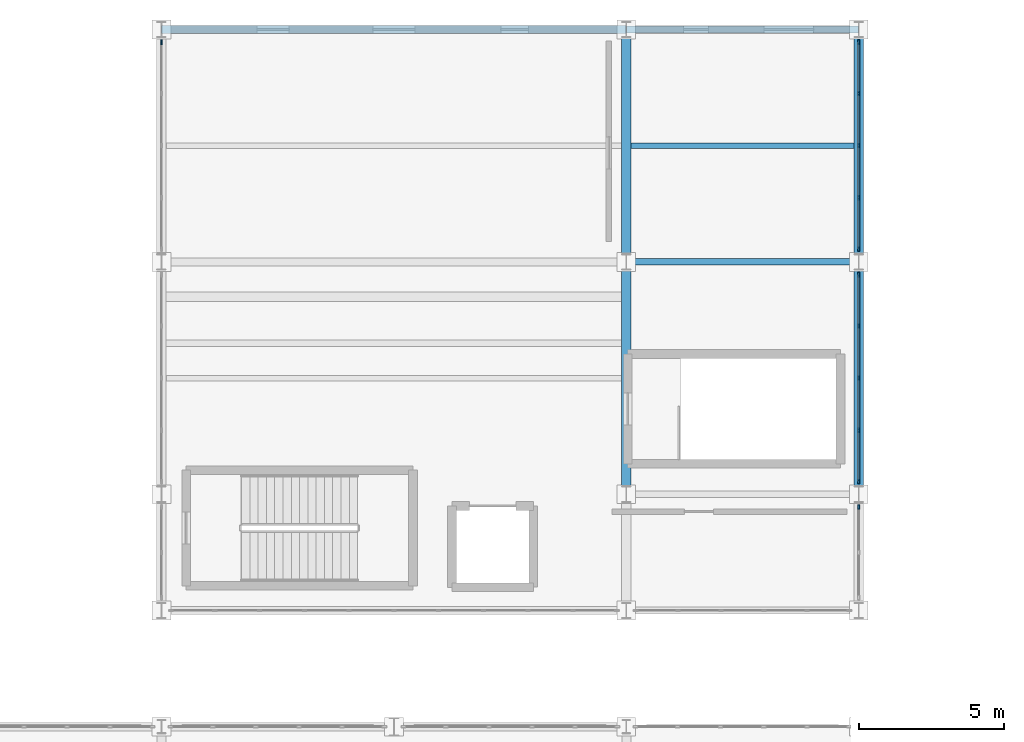
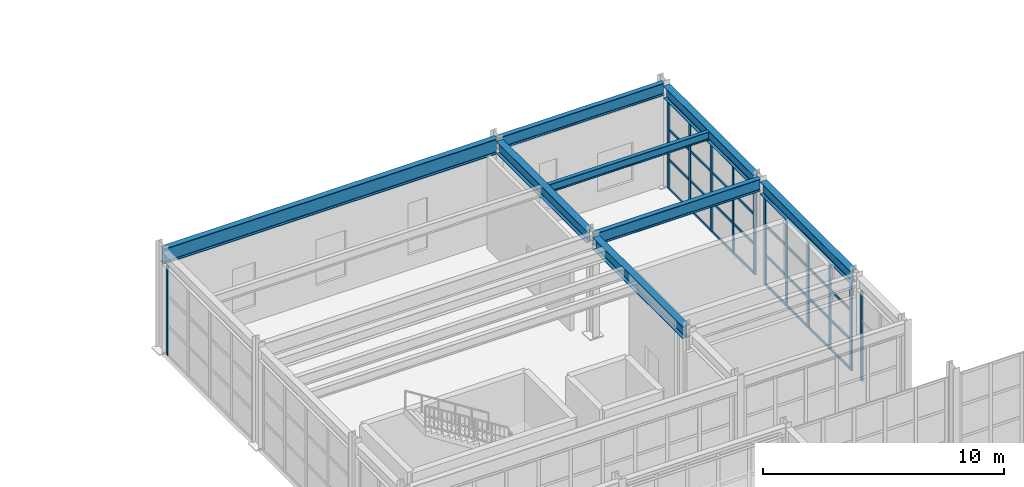
# One storey, part 38 of 82: 44 members, 8 beams, 4 elements without a shape of their own.
"""IFC4 building model written with IfcOpenShell, lengths in metres."""

import ifcopenshell
import ifcopenshell.guid

model = None  # the IFC model being written
_history = None  # IfcOwnerHistory: only IFC2X3 demands one
_inside = {}  # id of a spatial element -> (the spatial element, [elements in it])
_under = {}  # id of a project, library or spatial element -> (it, [spatial elements below it])
_declared = {}  # id of a project -> (the project, [libraries it declares])
_typed = {}  # id of a type object -> (the type object, [elements of that type])
_made_of = {}  # id of a material, layer set ... -> (it, [elements and type objects made of it])


def new_model(schema):
    """Start an empty IFC model of exactly this schema.

    Asked for "IFC4X3", IfcOpenShell would pick the latest addendum, in which some entities
    have other attributes; the version numbers below select the first issue.
    IFC2X3 requires an IfcOwnerHistory on every rooted entity: one is made here for all.
    """
    global model, _history
    if schema == "IFC4X3":
        model = ifcopenshell.file(schema_version=(4, 3, 0, 0))
    else:
        model = ifcopenshell.file(schema=schema)
    _inside.clear()
    _under.clear()
    _declared.clear()
    _typed.clear()
    _made_of.clear()
    _history = None
    if model.schema == "IFC2X3":
        org = make("IfcOrganization", Name="unknown")
        user = make(
            "IfcPersonAndOrganization",
            ThePerson=make("IfcPerson", FamilyName="unknown"),
            TheOrganization=org,
        )
        app = make(
            "IfcApplication",
            ApplicationDeveloper=org,
            Version="unknown",
            ApplicationFullName="unknown",
            ApplicationIdentifier="unknown",
        )
        _history = make(
            "IfcOwnerHistory",
            OwningUser=user,
            OwningApplication=app,
            ChangeAction="ADDED",
            CreationDate=0,
        )
    return model


def make(cls, **values):
    """One entity of the class cls with the attributes given. An attribute that is None is left unset."""
    return model.create_entity(
        cls, **{name: value for name, value in values.items() if value is not None}
    )


def rooted(cls, **values):
    """An entity with a GlobalId (a new one), such as an element, a storey or a relation."""
    return make(cls, GlobalId=ifcopenshell.guid.new(), OwnerHistory=_history, **values)


def si_unit(unit_type, name, prefix=None):
    """IfcSIUnit, for example si_unit("LENGTHUNIT", "METRE", prefix="MILLI")."""
    return make("IfcSIUnit", UnitType=unit_type, Prefix=prefix, Name=name)


def assignment(units):
    """IfcUnitAssignment: the units of a project."""
    return None if units is None else make("IfcUnitAssignment", Units=units)


def point(xyz):
    """IfcCartesianPoint."""
    return None if xyz is None else make("IfcCartesianPoint", Coordinates=xyz)


def direction(xyz):
    """IfcDirection."""
    return None if xyz is None else make("IfcDirection", DirectionRatios=xyz)


def frame(location, z_axis=None, x_axis=None):
    """IfcAxis2Placement3D, a coordinate frame: its origin and axes. An axis left out is left unset."""
    return make(
        "IfcAxis2Placement3D",
        Location=point(location),
        Axis=direction(z_axis),
        RefDirection=direction(x_axis),
    )


def frame_2d(location, x_axis=None):
    """IfcAxis2Placement2D, a coordinate frame in the plane: its origin and x axis."""
    return make(
        "IfcAxis2Placement2D", Location=point(location), RefDirection=direction(x_axis)
    )


def origin():
    """The frame at (0, 0, 0) with its axes left unset."""
    return frame((0.0, 0.0, 0.0))


def origin_2d():
    """The frame at (0, 0) in the plane with its x axis left unset."""
    return frame_2d((0.0, 0.0))


def place(relative_to, where):
    """IfcLocalPlacement: puts the frame where relative to a parent placement (None: the world)."""
    return make(
        "IfcLocalPlacement", PlacementRelTo=relative_to, RelativePlacement=where
    )


def context(
    kind, dimensions, precision=None, world=None, true_north=None, identifier=None
):
    """IfcGeometricRepresentationContext, for example the 3D "Model" context."""
    return make(
        "IfcGeometricRepresentationContext",
        ContextIdentifier=identifier,
        ContextType=kind,
        CoordinateSpaceDimension=dimensions,
        Precision=precision,
        WorldCoordinateSystem=world,
        TrueNorth=true_north,
    )


def subcontext(parent, identifier, kind, view, scale=None):
    """IfcGeometricRepresentationSubContext, for example "Body" below "Model"."""
    return make(
        "IfcGeometricRepresentationSubContext",
        ContextIdentifier=identifier,
        ContextType=kind,
        ParentContext=parent,
        TargetScale=scale,
        TargetView=view,
    )


def project(units=None, contexts=None):
    """IfcProject with its units and contexts."""
    return rooted(
        "IfcProject",
        Name="project",
        RepresentationContexts=contexts,
        UnitsInContext=assignment(units),
    )


def spatial(cls, under=None, at=None, **own):
    """A site, building, storey or space (cls), placed at a placement, below another one or the project."""
    s = rooted(cls, ObjectPlacement=at, **own)
    if under is not None:
        _under.setdefault(under.id(), (under, []))[1].append(s)
    return s


def profile(cls, at=None, kind="AREA", **sizes):
    """A parametric profile (cls). Its sizes go by their IFC names, for example OverallWidth=200.0."""
    return make(cls, ProfileType=kind, Position=at, **sizes)


def rectangle(**sizes):
    """IfcRectangleProfileDef."""
    return profile("IfcRectangleProfileDef", **sizes)


def i_section(**sizes):
    """IfcIShapeProfileDef."""
    return profile("IfcIShapeProfileDef", **sizes)


def extrude(swept, where, along, depth):
    """IfcExtrudedAreaSolid: the profile swept, set in the frame where, extruded along a direction by depth."""
    return make(
        "IfcExtrudedAreaSolid",
        SweptArea=swept,
        Position=where,
        ExtrudedDirection=direction(along),
        Depth=depth,
    )


def shape(context_of_items, identifier, shape_type, items):
    """IfcShapeRepresentation: the items that make up one representation, for example the "Body"."""
    return make(
        "IfcShapeRepresentation",
        ContextOfItems=context_of_items,
        RepresentationIdentifier=identifier,
        RepresentationType=shape_type,
        Items=items,
    )


def material(Name=None, Category=None):
    """IfcMaterial."""
    return make("IfcMaterial", Name=Name, Category=Category)


def material_profile(
    of_material, cross_section, Name=None, Category=None, Priority=None
):
    """IfcMaterialProfile: a cross section and its material."""
    return make(
        "IfcMaterialProfile",
        Name=Name,
        Material=of_material,
        Profile=cross_section,
        Priority=Priority,
        Category=Category,
    )


def profile_set(profiles, Name=None, composite=None):
    """IfcMaterialProfileSet."""
    return make(
        "IfcMaterialProfileSet",
        Name=Name,
        MaterialProfiles=profiles,
        CompositeProfile=composite,
    )


def made_of(thing, what):
    """Note that an element or type object is made of a material, layer set ...; save() writes the relation."""
    if what is not None:
        _made_of.setdefault(what.id(), (what, []))[1].append(thing)
    return thing


def type_object(cls, material=None, **own):
    """A type object (cls), such as IfcWallType, which elements share."""
    return made_of(rooted(cls, **own), material)


def element(
    cls,
    number,
    at=None,
    inside=None,
    cuts=None,
    type_object=None,
    material=None,
    context=None,
    identifier="Body",
    shape_type=None,
    held_by="IfcProductDefinitionShape",
    body=None,
    shapes=None,
    **own,
):
    """One element of the class cls, such as IfcWall. Its Tag is "e" and its number.

    at: its placement. inside: the storey or other place that contains it. cuts: it is an
    opening in that element (IfcRelVoidsElement). A single representation is given by context,
    identifier, shape_type and body (its items); several are given by shapes. held_by: the class
    of the entity that holds the representations. save() writes the other relations.
    """
    e = rooted(cls, Tag="e%d" % number, ObjectPlacement=at, **own)
    if body is not None:
        shapes = [shape(context, identifier, shape_type, body)]
    if shapes is not None:
        e.Representation = make(held_by, Representations=shapes)
    if inside is not None:
        _inside.setdefault(inside.id(), (inside, []))[1].append(e)
    if cuts is not None:
        rooted(
            "IfcRelVoidsElement", RelatingBuildingElement=cuts, RelatedOpeningElement=e
        )
    if type_object is not None:
        _typed.setdefault(type_object.id(), (type_object, []))[1].append(e)
    return made_of(e, material)


def aggregate(whole, parts):
    """IfcRelAggregates: a whole, such as a stair, and the parts it consists of."""
    return rooted("IfcRelAggregates", RelatingObject=whole, RelatedObjects=parts)


def save(model, path):
    """Write the relations noted so far, then the file.

    IfcRelAggregates (storeys below a building ...), IfcRelContainedInSpatialStructure (elements
    in a storey), IfcRelDefinesByType, IfcRelAssociatesMaterial and IfcRelDeclares: one each for
    every whole, place, type object, material and project.
    """
    for whole, parts in _under.values():
        aggregate(whole, parts)
    for where, things in _inside.values():
        rooted(
            "IfcRelContainedInSpatialStructure",
            RelatedElements=things,
            RelatingStructure=where,
        )
    for kind, things in _typed.values():
        rooted("IfcRelDefinesByType", RelatedObjects=things, RelatingType=kind)
    for what, things in _made_of.values():
        rooted("IfcRelAssociatesMaterial", RelatedObjects=things, RelatingMaterial=what)
    for by, libraries in _declared.values():
        rooted("IfcRelDeclares", RelatingContext=by, RelatedDefinitions=libraries)
    model.write(path)


model = new_model("IFC4")

# Units and contexts
model_context = context("Model", 3, precision=1e-05, world=origin(), true_north=direction((0.0, 1.0)))
body_context = subcontext(model_context, "Body", "Model", "MODEL_VIEW")
ifc_project = project(units=[si_unit("LENGTHUNIT", "METRE"), si_unit("AREAUNIT", "SQUARE_METRE"), si_unit("VOLUMEUNIT", "CUBIC_METRE"), si_unit("PLANEANGLEUNIT", "RADIAN"), si_unit("MASSUNIT", "GRAM", prefix="KILO")], contexts=[model_context])

# Site, building, storey
site_placement = place(None, origin())
site = spatial("IfcSite", under=ifc_project, at=site_placement, CompositionType="ELEMENT")
building_placement = place(site_placement, origin())
building = spatial("IfcBuilding", under=site, at=building_placement, Name="Serraluz Foothill Cableway Terminal", CompositionType="ELEMENT")
storey_placement = place(building_placement, frame((0.0, 0.0, 9.60009765625)))
storey = spatial("IfcBuildingStorey", under=building, at=storey_placement, Name="L02", CompositionType="ELEMENT", Elevation=9.60009765625)

# Beams
ifc_material_1 = material(Name="Steel ASTM A992 Grade 50", Category="steel")
ifc_material_profile_1 = material_profile(ifc_material_1, i_section(OverallWidth=0.324951171875, OverallDepth=0.615966796875, WebThickness=0.013916015625, FlangeThickness=0.021484375, FilletRadius=0.01806640625, at=origin_2d()), Name="W24X117")
ifc_profile_set_1 = profile_set([ifc_material_profile_1], Name="Steel ASTM A992 Grade 50")
beam_type_1 = type_object("IfcBeamType", Name="TYP-BM-W24X117", PredefinedType="BEAM", material=ifc_profile_set_1)
for number, where, z_axis, x_axis, name in (
    (1, (96.0, 80.267578125, 4.841796875), (0.0, 1.0, 0.0), (-1.0, 0.0, 0.0), "Transverse Girder BM-Y-L02-0337"),
    (2, (96.0, 88.267578125, 4.851806640625), (0.0, 1.0, 0.0), (-1.0, 0.0, 0.0), "Transverse Girder BM-Y-L02-0338"),
    (3, (104.0, 80.267578125, 4.851806640625), (0.0, 1.0, 0.0), (-1.0, 0.0, 0.0), "Transverse Girder BM-Y-L02-0340"),
    (4, (104.0, 88.267578125, 4.851806640625), (0.0, 1.0, 0.0), (-1.0, 0.0, 0.0), "Transverse Girder BM-Y-L02-0341"),
):
    element("IfcBeam", number, at=place(storey_placement, frame(where, z_axis=z_axis, x_axis=x_axis)), inside=storey, type_object=beam_type_1, Name=name, PredefinedType="BEAM", context=body_context, shape_type="SweptSolid", body=[
        extrude(i_section(OverallWidth=0.324951171875, OverallDepth=0.615966796875, WebThickness=0.013916015625, FlangeThickness=0.021484375, FilletRadius=0.01806640625, at=origin_2d()), origin(), (0.0, 0.0, 1.0), 7.46484375),
    ])
ifc_material_profile_2 = material_profile(ifc_material_1, i_section(OverallWidth=0.22900390625, OverallDepth=0.612060546875, WebThickness=0.011962890625, FlangeThickness=0.01953125, FilletRadius=0.01806640625, at=origin_2d()), Name="W24X84")
ifc_profile_set_2 = profile_set([ifc_material_profile_2], Name="Steel ASTM A992 Grade 50")
beam_type_2 = type_object("IfcBeamType", Name="TYP-BM-W24X84", PredefinedType="BEAM", material=ifc_profile_set_2)
for number, where, z_axis, x_axis, name in (
    (5, (96.0048828125, 88.0, 4.85400390625), (1.0, 0.0, 0.0), (0.0, 1.0, 0.0), "Primary Girder BM-X-L02-0319"),
    (6, (96.0048828125, 96.0, 4.85400390625), (1.0, 0.0, 0.0), (0.0, 1.0, 0.0), "Primary Girder BM-X-L02-0321"),
):
    element("IfcBeam", number, at=place(storey_placement, frame(where, z_axis=z_axis, x_axis=x_axis)), inside=storey, type_object=beam_type_2, Name=name, PredefinedType="BEAM", context=body_context, shape_type="SweptSolid", body=[
        extrude(i_section(OverallWidth=0.22900390625, OverallDepth=0.612060546875, WebThickness=0.011962890625, FlangeThickness=0.01953125, FilletRadius=0.01806640625, at=origin_2d()), origin(), (0.0, 0.0, 1.0), 7.990234375),
    ])
ifc_material_profile_3 = material_profile(ifc_material_1, i_section(OverallWidth=0.26806640625, OverallDepth=0.77001953125, WebThickness=0.015625, FlangeThickness=0.025390625, FilletRadius=0.02197265625, at=origin_2d()), Name="W30X132")
ifc_profile_set_3 = profile_set([ifc_material_profile_3], Name="Steel ASTM A992 Grade 50")
beam_type_3 = type_object("IfcBeamType", Name="TYP-BM-W30X132", PredefinedType="BEAM", material=ifc_profile_set_3)
beam_1_placement = place(storey_placement, frame((80.0048828125, 96.0, 4.77490234375), z_axis=(1.0, 0.0, 0.0), x_axis=(0.0, 1.0, 0.0)))
element("IfcBeam", 7, at=beam_1_placement, inside=storey, type_object=beam_type_3, Name="Primary Girder BM-X-L02-0320", PredefinedType="BEAM", context=body_context, shape_type="SweptSolid", body=[
    extrude(i_section(OverallWidth=0.26806640625, OverallDepth=0.77001953125, WebThickness=0.015625, FlangeThickness=0.025390625, FilletRadius=0.02197265625, at=origin_2d()), origin(), (0.0, 0.0, 1.0), 15.990234375),
])

# Curtain wall, member
ifc_material_2 = material(Name="Architectural bronze alloy C28000", Category="aluminium")
curtain_wall_type = type_object("IfcCurtainWallType", Name="TYP-CW-680X420", PredefinedType="NOTDEFINED", material=ifc_material_2)
curtain_wall_1_placement = place(storey_placement, origin())
curtain_wall_1 = element("IfcCurtainWall", 8, at=curtain_wall_1_placement, inside=storey, type_object=curtain_wall_type, Name="Ribbed Glazed Curtain Wall CW-V4E-L02-76", PredefinedType="NOTDEFINED")
ifc_material_profile_4 = material_profile(ifc_material_2, rectangle(XDim=0.06005859375, YDim=0.159912109375, at=origin_2d()), Name="ALU MULLION 60x160")
ifc_profile_set_4 = profile_set([ifc_material_profile_4], Name="Architectural bronze alloy C28000")
member_type_1 = type_object("IfcMemberType", Name="TYP-CW-MUL-60X160", PredefinedType="MULLION", material=ifc_profile_set_4)
member_1_placement = place(storey_placement, frame((104.0, 79.55859375, 0.0), z_axis=(0.0, 0.0, 1.0), x_axis=(1.0, 0.0, 0.0)))
member_1 = element("IfcMember", 9, at=member_1_placement, type_object=member_type_1, Name="CW-13 mullion 1", PredefinedType="MULLION", context=body_context, shape_type="SweptSolid", body=[
    extrude(rectangle(XDim=0.06005859375, YDim=0.159912109375, at=origin_2d()), origin(), (0.0, 0.0, 1.0), 4.5439453125),
])
aggregate(curtain_wall_1, [member_1])

# Curtain wall, members
curtain_wall_2_placement = place(storey_placement, origin())
curtain_wall_2 = element("IfcCurtainWall", 10, at=curtain_wall_2_placement, inside=storey, type_object=curtain_wall_type, Name="Ribbed Glazed Curtain Wall CW-V4E-L02-80", PredefinedType="NOTDEFINED")
member_2_placement = place(storey_placement, frame((104.0, 87.55859375, 0.0), z_axis=(0.0, 0.0, 1.0), x_axis=(1.0, 0.0, 0.0)))
member_2 = element("IfcMember", 11, at=member_2_placement, type_object=member_type_1, Name="CW-13 mullion 1", PredefinedType="MULLION", context=body_context, shape_type="SweptSolid", body=[
    extrude(rectangle(XDim=0.06005859375, YDim=0.159912109375, at=origin_2d()), origin(), (0.0, 0.0, 1.0), 4.5439453125),
])
member_3_placement = place(storey_placement, frame((104.0, 85.794189453125, 0.0), z_axis=(0.0, 0.0, 1.0), x_axis=(1.0, 0.0, 0.0)))
member_3 = element("IfcMember", 12, at=member_3_placement, type_object=member_type_1, Name="CW-13 mullion 2", PredefinedType="MULLION", context=body_context, shape_type="SweptSolid", body=[
    extrude(rectangle(XDim=0.06005859375, YDim=0.159912109375, at=origin_2d()), origin(), (0.0, 0.0, 1.0), 4.5439453125),
])
member_4_placement = place(storey_placement, frame((104.0, 84.0, 0.0), z_axis=(0.0, 0.0, 1.0), x_axis=(1.0, 0.0, 0.0)))
member_4 = element("IfcMember", 13, at=member_4_placement, type_object=member_type_1, Name="CW-13 mullion 3", PredefinedType="MULLION", context=body_context, shape_type="SweptSolid", body=[
    extrude(rectangle(XDim=0.06005859375, YDim=0.159912109375, at=origin_2d()), origin(), (0.0, 0.0, 1.0), 4.5439453125),
])
member_5_placement = place(storey_placement, frame((104.0, 82.205810546875, 0.0), z_axis=(0.0, 0.0, 1.0), x_axis=(1.0, 0.0, 0.0)))
member_5 = element("IfcMember", 14, at=member_5_placement, type_object=member_type_1, Name="CW-13 mullion 4", PredefinedType="MULLION", context=body_context, shape_type="SweptSolid", body=[
    extrude(rectangle(XDim=0.06005859375, YDim=0.159912109375, at=origin_2d()), origin(), (0.0, 0.0, 1.0), 4.5439453125),
])
member_6_placement = place(storey_placement, frame((104.0, 80.44140625, 0.0), z_axis=(0.0, 0.0, 1.0), x_axis=(1.0, 0.0, 0.0)))
member_6 = element("IfcMember", 15, at=member_6_placement, type_object=member_type_1, Name="CW-13 mullion 5", PredefinedType="MULLION", context=body_context, shape_type="SweptSolid", body=[
    extrude(rectangle(XDim=0.06005859375, YDim=0.159912109375, at=origin_2d()), origin(), (0.0, 0.0, 1.0), 4.5439453125),
])

# Curtain wall, member
curtain_wall_3_placement = place(storey_placement, origin())
curtain_wall_3 = element("IfcCurtainWall", 16, at=curtain_wall_3_placement, inside=storey, type_object=curtain_wall_type, Name="Ribbed Glazed Curtain Wall CW-V4W-L02-88", PredefinedType="NOTDEFINED")
member_7_placement = place(storey_placement, frame((80.0, 95.55859375, 0.0), z_axis=(0.0, 0.0, 1.0), x_axis=(-1.0, 0.0, 0.0)))
member_7 = element("IfcMember", 17, at=member_7_placement, type_object=member_type_1, Name="CW-13 mullion 5", PredefinedType="MULLION", context=body_context, shape_type="SweptSolid", body=[
    extrude(rectangle(XDim=0.06005859375, YDim=0.159912109375, at=origin_2d()), origin(), (0.0, 0.0, 1.0), 4.5439453125),
])
aggregate(curtain_wall_3, [member_7])

# Curtain wall, members
curtain_wall_4_placement = place(storey_placement, origin())
curtain_wall_4 = element("IfcCurtainWall", 18, at=curtain_wall_4_placement, inside=storey, type_object=curtain_wall_type, Name="Ribbed Glazed Curtain Wall CW-V4E-L02-88", PredefinedType="NOTDEFINED")
member_8_placement = place(storey_placement, frame((104.0, 95.55859375, 0.0), z_axis=(0.0, 0.0, 1.0), x_axis=(1.0, 0.0, 0.0)))
member_8 = element("IfcMember", 19, at=member_8_placement, type_object=member_type_1, Name="CW-13 mullion 1", PredefinedType="MULLION", context=body_context, shape_type="SweptSolid", body=[
    extrude(rectangle(XDim=0.06005859375, YDim=0.159912109375, at=origin_2d()), origin(), (0.0, 0.0, 1.0), 4.5439453125),
])
member_9_placement = place(storey_placement, frame((104.0, 93.794189453125, 0.0), z_axis=(0.0, 0.0, 1.0), x_axis=(1.0, 0.0, 0.0)))
member_9 = element("IfcMember", 20, at=member_9_placement, type_object=member_type_1, Name="CW-13 mullion 2", PredefinedType="MULLION", context=body_context, shape_type="SweptSolid", body=[
    extrude(rectangle(XDim=0.06005859375, YDim=0.159912109375, at=origin_2d()), origin(), (0.0, 0.0, 1.0), 4.5439453125),
])
member_10_placement = place(storey_placement, frame((104.0, 92.0, 0.0), z_axis=(0.0, 0.0, 1.0), x_axis=(1.0, 0.0, 0.0)))
member_10 = element("IfcMember", 21, at=member_10_placement, type_object=member_type_1, Name="CW-13 mullion 3", PredefinedType="MULLION", context=body_context, shape_type="SweptSolid", body=[
    extrude(rectangle(XDim=0.06005859375, YDim=0.159912109375, at=origin_2d()), origin(), (0.0, 0.0, 1.0), 4.5439453125),
])
member_11_placement = place(storey_placement, frame((104.0, 90.205810546875, 0.0), z_axis=(0.0, 0.0, 1.0), x_axis=(1.0, 0.0, 0.0)))
member_11 = element("IfcMember", 22, at=member_11_placement, type_object=member_type_1, Name="CW-13 mullion 4", PredefinedType="MULLION", context=body_context, shape_type="SweptSolid", body=[
    extrude(rectangle(XDim=0.06005859375, YDim=0.159912109375, at=origin_2d()), origin(), (0.0, 0.0, 1.0), 4.5439453125),
])
member_12_placement = place(storey_placement, frame((104.0, 88.44140625, 0.0), z_axis=(0.0, 0.0, 1.0), x_axis=(1.0, 0.0, 0.0)))
member_12 = element("IfcMember", 23, at=member_12_placement, type_object=member_type_1, Name="CW-13 mullion 5", PredefinedType="MULLION", context=body_context, shape_type="SweptSolid", body=[
    extrude(rectangle(XDim=0.06005859375, YDim=0.159912109375, at=origin_2d()), origin(), (0.0, 0.0, 1.0), 4.5439453125),
])

# Member
ifc_material_profile_5 = material_profile(ifc_material_2, rectangle(XDim=0.06005859375, YDim=0.1201171875, at=origin_2d()), Name="ALU TRANSOM 60x120")
ifc_profile_set_5 = profile_set([ifc_material_profile_5], Name="Architectural bronze alloy C28000")
member_type_2 = type_object("IfcMemberType", Name="TYP-CW-TRN-60X120", PredefinedType="USERDEFINED", material=ifc_profile_set_5)
member_13_placement = place(storey_placement, frame((104.0, 87.528564453125, 0.02978515625), z_axis=(0.0, -1.0, 0.0), x_axis=(1.0, 0.0, 0.0)))
member_13 = element("IfcMember", 24, at=member_13_placement, type_object=member_type_2, Name="CW-13 transom 1.1", ObjectType="TRANSOM", PredefinedType="USERDEFINED", context=body_context, shape_type="SweptSolid", body=[
    extrude(rectangle(XDim=0.06005859375, YDim=0.1201171875, at=origin_2d()), origin(), (0.0, 0.0, 1.0), 1.704345703125),
])

member_14_placement = place(storey_placement, frame((104.0, 87.528564453125, 1.5146484375), z_axis=(0.0, -1.0, 0.0), x_axis=(1.0, 0.0, 0.0)))
member_14 = element("IfcMember", 25, at=member_14_placement, type_object=member_type_2, Name="CW-13 transom 1.2", ObjectType="TRANSOM", PredefinedType="USERDEFINED", context=body_context, shape_type="SweptSolid", body=[
    extrude(rectangle(XDim=0.06005859375, YDim=0.1201171875, at=origin_2d()), origin(), (0.0, 0.0, 1.0), 1.704345703125),
])

member_15_placement = place(storey_placement, frame((104.0, 87.528564453125, 3.029296875), z_axis=(0.0, -1.0, 0.0), x_axis=(1.0, 0.0, 0.0)))
member_15 = element("IfcMember", 26, at=member_15_placement, type_object=member_type_2, Name="CW-13 transom 1.3", ObjectType="TRANSOM", PredefinedType="USERDEFINED", context=body_context, shape_type="SweptSolid", body=[
    extrude(rectangle(XDim=0.06005859375, YDim=0.1201171875, at=origin_2d()), origin(), (0.0, 0.0, 1.0), 1.704345703125),
])

member_16_placement = place(storey_placement, frame((104.0, 87.528564453125, 4.513916015625), z_axis=(0.0, -1.0, 0.0), x_axis=(1.0, 0.0, 0.0)))
member_16 = element("IfcMember", 27, at=member_16_placement, type_object=member_type_2, Name="CW-13 transom 1.4", ObjectType="TRANSOM", PredefinedType="USERDEFINED", context=body_context, shape_type="SweptSolid", body=[
    extrude(rectangle(XDim=0.06005859375, YDim=0.1201171875, at=origin_2d()), origin(), (0.0, 0.0, 1.0), 1.704345703125),
])

member_17_placement = place(storey_placement, frame((104.0, 85.76416015625, 0.02978515625), z_axis=(0.0, -1.0, 0.0), x_axis=(1.0, 0.0, 0.0)))
member_17 = element("IfcMember", 28, at=member_17_placement, type_object=member_type_2, Name="CW-13 transom 2.1", ObjectType="TRANSOM", PredefinedType="USERDEFINED", context=body_context, shape_type="SweptSolid", body=[
    extrude(rectangle(XDim=0.06005859375, YDim=0.1201171875, at=origin_2d()), origin(), (0.0, 0.0, 1.0), 1.734130859375),
])

member_18_placement = place(storey_placement, frame((104.0, 85.76416015625, 1.5146484375), z_axis=(0.0, -1.0, 0.0), x_axis=(1.0, 0.0, 0.0)))
member_18 = element("IfcMember", 29, at=member_18_placement, type_object=member_type_2, Name="CW-13 transom 2.2", ObjectType="TRANSOM", PredefinedType="USERDEFINED", context=body_context, shape_type="SweptSolid", body=[
    extrude(rectangle(XDim=0.06005859375, YDim=0.1201171875, at=origin_2d()), origin(), (0.0, 0.0, 1.0), 1.734130859375),
])

member_19_placement = place(storey_placement, frame((104.0, 85.76416015625, 3.029296875), z_axis=(0.0, -1.0, 0.0), x_axis=(1.0, 0.0, 0.0)))
member_19 = element("IfcMember", 30, at=member_19_placement, type_object=member_type_2, Name="CW-13 transom 2.3", ObjectType="TRANSOM", PredefinedType="USERDEFINED", context=body_context, shape_type="SweptSolid", body=[
    extrude(rectangle(XDim=0.06005859375, YDim=0.1201171875, at=origin_2d()), origin(), (0.0, 0.0, 1.0), 1.734130859375),
])

member_20_placement = place(storey_placement, frame((104.0, 85.76416015625, 4.513916015625), z_axis=(0.0, -1.0, 0.0), x_axis=(1.0, 0.0, 0.0)))
member_20 = element("IfcMember", 31, at=member_20_placement, type_object=member_type_2, Name="CW-13 transom 2.4", ObjectType="TRANSOM", PredefinedType="USERDEFINED", context=body_context, shape_type="SweptSolid", body=[
    extrude(rectangle(XDim=0.06005859375, YDim=0.1201171875, at=origin_2d()), origin(), (0.0, 0.0, 1.0), 1.734130859375),
])

member_21_placement = place(storey_placement, frame((104.0, 83.969970703125, 0.02978515625), z_axis=(0.0, -1.0, 0.0), x_axis=(1.0, 0.0, 0.0)))
member_21 = element("IfcMember", 32, at=member_21_placement, type_object=member_type_2, Name="CW-13 transom 3.1", ObjectType="TRANSOM", PredefinedType="USERDEFINED", context=body_context, shape_type="SweptSolid", body=[
    extrude(rectangle(XDim=0.06005859375, YDim=0.1201171875, at=origin_2d()), origin(), (0.0, 0.0, 1.0), 1.734130859375),
])

member_22_placement = place(storey_placement, frame((104.0, 83.969970703125, 1.5146484375), z_axis=(0.0, -1.0, 0.0), x_axis=(1.0, 0.0, 0.0)))
member_22 = element("IfcMember", 33, at=member_22_placement, type_object=member_type_2, Name="CW-13 transom 3.2", ObjectType="TRANSOM", PredefinedType="USERDEFINED", context=body_context, shape_type="SweptSolid", body=[
    extrude(rectangle(XDim=0.06005859375, YDim=0.1201171875, at=origin_2d()), origin(), (0.0, 0.0, 1.0), 1.734130859375),
])

member_23_placement = place(storey_placement, frame((104.0, 83.969970703125, 3.029296875), z_axis=(0.0, -1.0, 0.0), x_axis=(1.0, 0.0, 0.0)))
member_23 = element("IfcMember", 34, at=member_23_placement, type_object=member_type_2, Name="CW-13 transom 3.3", ObjectType="TRANSOM", PredefinedType="USERDEFINED", context=body_context, shape_type="SweptSolid", body=[
    extrude(rectangle(XDim=0.06005859375, YDim=0.1201171875, at=origin_2d()), origin(), (0.0, 0.0, 1.0), 1.734130859375),
])

member_24_placement = place(storey_placement, frame((104.0, 83.969970703125, 4.513916015625), z_axis=(0.0, -1.0, 0.0), x_axis=(1.0, 0.0, 0.0)))
member_24 = element("IfcMember", 35, at=member_24_placement, type_object=member_type_2, Name="CW-13 transom 3.4", ObjectType="TRANSOM", PredefinedType="USERDEFINED", context=body_context, shape_type="SweptSolid", body=[
    extrude(rectangle(XDim=0.06005859375, YDim=0.1201171875, at=origin_2d()), origin(), (0.0, 0.0, 1.0), 1.734130859375),
])

member_25_placement = place(storey_placement, frame((104.0, 82.17578125, 0.02978515625), z_axis=(0.0, -1.0, 0.0), x_axis=(1.0, 0.0, 0.0)))
member_25 = element("IfcMember", 36, at=member_25_placement, type_object=member_type_2, Name="CW-13 transom 4.1", ObjectType="TRANSOM", PredefinedType="USERDEFINED", context=body_context, shape_type="SweptSolid", body=[
    extrude(rectangle(XDim=0.06005859375, YDim=0.1201171875, at=origin_2d()), origin(), (0.0, 0.0, 1.0), 1.704345703125),
])

member_26_placement = place(storey_placement, frame((104.0, 82.17578125, 1.5146484375), z_axis=(0.0, -1.0, 0.0), x_axis=(1.0, 0.0, 0.0)))
member_26 = element("IfcMember", 37, at=member_26_placement, type_object=member_type_2, Name="CW-13 transom 4.2", ObjectType="TRANSOM", PredefinedType="USERDEFINED", context=body_context, shape_type="SweptSolid", body=[
    extrude(rectangle(XDim=0.06005859375, YDim=0.1201171875, at=origin_2d()), origin(), (0.0, 0.0, 1.0), 1.704345703125),
])

member_27_placement = place(storey_placement, frame((104.0, 82.17578125, 3.029296875), z_axis=(0.0, -1.0, 0.0), x_axis=(1.0, 0.0, 0.0)))
member_27 = element("IfcMember", 38, at=member_27_placement, type_object=member_type_2, Name="CW-13 transom 4.3", ObjectType="TRANSOM", PredefinedType="USERDEFINED", context=body_context, shape_type="SweptSolid", body=[
    extrude(rectangle(XDim=0.06005859375, YDim=0.1201171875, at=origin_2d()), origin(), (0.0, 0.0, 1.0), 1.704345703125),
])

member_28_placement = place(storey_placement, frame((104.0, 82.17578125, 4.513916015625), z_axis=(0.0, -1.0, 0.0), x_axis=(1.0, 0.0, 0.0)))
member_28 = element("IfcMember", 39, at=member_28_placement, type_object=member_type_2, Name="CW-13 transom 4.4", ObjectType="TRANSOM", PredefinedType="USERDEFINED", context=body_context, shape_type="SweptSolid", body=[
    extrude(rectangle(XDim=0.06005859375, YDim=0.1201171875, at=origin_2d()), origin(), (0.0, 0.0, 1.0), 1.704345703125),
])

aggregate(curtain_wall_2, [member_2, member_3, member_4, member_5, member_6, member_13, member_14, member_15, member_16, member_17, member_18, member_19, member_20, member_21, member_22, member_23, member_24, member_25, member_26, member_27, member_28])

member_29_placement = place(storey_placement, frame((104.0, 95.528564453125, 0.02978515625), z_axis=(0.0, -1.0, 0.0), x_axis=(1.0, 0.0, 0.0)))
member_29 = element("IfcMember", 40, at=member_29_placement, type_object=member_type_2, Name="CW-13 transom 1.1", ObjectType="TRANSOM", PredefinedType="USERDEFINED", context=body_context, shape_type="SweptSolid", body=[
    extrude(rectangle(XDim=0.06005859375, YDim=0.1201171875, at=origin_2d()), origin(), (0.0, 0.0, 1.0), 1.704345703125),
])

member_30_placement = place(storey_placement, frame((104.0, 95.528564453125, 1.5146484375), z_axis=(0.0, -1.0, 0.0), x_axis=(1.0, 0.0, 0.0)))
member_30 = element("IfcMember", 41, at=member_30_placement, type_object=member_type_2, Name="CW-13 transom 1.2", ObjectType="TRANSOM", PredefinedType="USERDEFINED", context=body_context, shape_type="SweptSolid", body=[
    extrude(rectangle(XDim=0.06005859375, YDim=0.1201171875, at=origin_2d()), origin(), (0.0, 0.0, 1.0), 1.704345703125),
])

member_31_placement = place(storey_placement, frame((104.0, 95.528564453125, 3.029296875), z_axis=(0.0, -1.0, 0.0), x_axis=(1.0, 0.0, 0.0)))
member_31 = element("IfcMember", 42, at=member_31_placement, type_object=member_type_2, Name="CW-13 transom 1.3", ObjectType="TRANSOM", PredefinedType="USERDEFINED", context=body_context, shape_type="SweptSolid", body=[
    extrude(rectangle(XDim=0.06005859375, YDim=0.1201171875, at=origin_2d()), origin(), (0.0, 0.0, 1.0), 1.704345703125),
])

member_32_placement = place(storey_placement, frame((104.0, 95.528564453125, 4.513916015625), z_axis=(0.0, -1.0, 0.0), x_axis=(1.0, 0.0, 0.0)))
member_32 = element("IfcMember", 43, at=member_32_placement, type_object=member_type_2, Name="CW-13 transom 1.4", ObjectType="TRANSOM", PredefinedType="USERDEFINED", context=body_context, shape_type="SweptSolid", body=[
    extrude(rectangle(XDim=0.06005859375, YDim=0.1201171875, at=origin_2d()), origin(), (0.0, 0.0, 1.0), 1.704345703125),
])

member_33_placement = place(storey_placement, frame((104.0, 93.76416015625, 0.02978515625), z_axis=(0.0, -1.0, 0.0), x_axis=(1.0, 0.0, 0.0)))
member_33 = element("IfcMember", 44, at=member_33_placement, type_object=member_type_2, Name="CW-13 transom 2.1", ObjectType="TRANSOM", PredefinedType="USERDEFINED", context=body_context, shape_type="SweptSolid", body=[
    extrude(rectangle(XDim=0.06005859375, YDim=0.1201171875, at=origin_2d()), origin(), (0.0, 0.0, 1.0), 1.734130859375),
])

member_34_placement = place(storey_placement, frame((104.0, 93.76416015625, 1.5146484375), z_axis=(0.0, -1.0, 0.0), x_axis=(1.0, 0.0, 0.0)))
member_34 = element("IfcMember", 45, at=member_34_placement, type_object=member_type_2, Name="CW-13 transom 2.2", ObjectType="TRANSOM", PredefinedType="USERDEFINED", context=body_context, shape_type="SweptSolid", body=[
    extrude(rectangle(XDim=0.06005859375, YDim=0.1201171875, at=origin_2d()), origin(), (0.0, 0.0, 1.0), 1.734130859375),
])

member_35_placement = place(storey_placement, frame((104.0, 93.76416015625, 3.029296875), z_axis=(0.0, -1.0, 0.0), x_axis=(1.0, 0.0, 0.0)))
member_35 = element("IfcMember", 46, at=member_35_placement, type_object=member_type_2, Name="CW-13 transom 2.3", ObjectType="TRANSOM", PredefinedType="USERDEFINED", context=body_context, shape_type="SweptSolid", body=[
    extrude(rectangle(XDim=0.06005859375, YDim=0.1201171875, at=origin_2d()), origin(), (0.0, 0.0, 1.0), 1.734130859375),
])

member_36_placement = place(storey_placement, frame((104.0, 93.76416015625, 4.513916015625), z_axis=(0.0, -1.0, 0.0), x_axis=(1.0, 0.0, 0.0)))
member_36 = element("IfcMember", 47, at=member_36_placement, type_object=member_type_2, Name="CW-13 transom 2.4", ObjectType="TRANSOM", PredefinedType="USERDEFINED", context=body_context, shape_type="SweptSolid", body=[
    extrude(rectangle(XDim=0.06005859375, YDim=0.1201171875, at=origin_2d()), origin(), (0.0, 0.0, 1.0), 1.734130859375),
])

member_37_placement = place(storey_placement, frame((104.0, 91.969970703125, 0.02978515625), z_axis=(0.0, -1.0, 0.0), x_axis=(1.0, 0.0, 0.0)))
member_37 = element("IfcMember", 48, at=member_37_placement, type_object=member_type_2, Name="CW-13 transom 3.1", ObjectType="TRANSOM", PredefinedType="USERDEFINED", context=body_context, shape_type="SweptSolid", body=[
    extrude(rectangle(XDim=0.06005859375, YDim=0.1201171875, at=origin_2d()), origin(), (0.0, 0.0, 1.0), 1.734130859375),
])

member_38_placement = place(storey_placement, frame((104.0, 91.969970703125, 1.5146484375), z_axis=(0.0, -1.0, 0.0), x_axis=(1.0, 0.0, 0.0)))
member_38 = element("IfcMember", 49, at=member_38_placement, type_object=member_type_2, Name="CW-13 transom 3.2", ObjectType="TRANSOM", PredefinedType="USERDEFINED", context=body_context, shape_type="SweptSolid", body=[
    extrude(rectangle(XDim=0.06005859375, YDim=0.1201171875, at=origin_2d()), origin(), (0.0, 0.0, 1.0), 1.734130859375),
])

member_39_placement = place(storey_placement, frame((104.0, 91.969970703125, 3.029296875), z_axis=(0.0, -1.0, 0.0), x_axis=(1.0, 0.0, 0.0)))
member_39 = element("IfcMember", 50, at=member_39_placement, type_object=member_type_2, Name="CW-13 transom 3.3", ObjectType="TRANSOM", PredefinedType="USERDEFINED", context=body_context, shape_type="SweptSolid", body=[
    extrude(rectangle(XDim=0.06005859375, YDim=0.1201171875, at=origin_2d()), origin(), (0.0, 0.0, 1.0), 1.734130859375),
])

member_40_placement = place(storey_placement, frame((104.0, 91.969970703125, 4.513916015625), z_axis=(0.0, -1.0, 0.0), x_axis=(1.0, 0.0, 0.0)))
member_40 = element("IfcMember", 51, at=member_40_placement, type_object=member_type_2, Name="CW-13 transom 3.4", ObjectType="TRANSOM", PredefinedType="USERDEFINED", context=body_context, shape_type="SweptSolid", body=[
    extrude(rectangle(XDim=0.06005859375, YDim=0.1201171875, at=origin_2d()), origin(), (0.0, 0.0, 1.0), 1.734130859375),
])

member_41_placement = place(storey_placement, frame((104.0, 90.17578125, 0.02978515625), z_axis=(0.0, -1.0, 0.0), x_axis=(1.0, 0.0, 0.0)))
member_41 = element("IfcMember", 52, at=member_41_placement, type_object=member_type_2, Name="CW-13 transom 4.1", ObjectType="TRANSOM", PredefinedType="USERDEFINED", context=body_context, shape_type="SweptSolid", body=[
    extrude(rectangle(XDim=0.06005859375, YDim=0.1201171875, at=origin_2d()), origin(), (0.0, 0.0, 1.0), 1.704345703125),
])

member_42_placement = place(storey_placement, frame((104.0, 90.17578125, 1.5146484375), z_axis=(0.0, -1.0, 0.0), x_axis=(1.0, 0.0, 0.0)))
member_42 = element("IfcMember", 53, at=member_42_placement, type_object=member_type_2, Name="CW-13 transom 4.2", ObjectType="TRANSOM", PredefinedType="USERDEFINED", context=body_context, shape_type="SweptSolid", body=[
    extrude(rectangle(XDim=0.06005859375, YDim=0.1201171875, at=origin_2d()), origin(), (0.0, 0.0, 1.0), 1.704345703125),
])

member_43_placement = place(storey_placement, frame((104.0, 90.17578125, 3.029296875), z_axis=(0.0, -1.0, 0.0), x_axis=(1.0, 0.0, 0.0)))
member_43 = element("IfcMember", 54, at=member_43_placement, type_object=member_type_2, Name="CW-13 transom 4.3", ObjectType="TRANSOM", PredefinedType="USERDEFINED", context=body_context, shape_type="SweptSolid", body=[
    extrude(rectangle(XDim=0.06005859375, YDim=0.1201171875, at=origin_2d()), origin(), (0.0, 0.0, 1.0), 1.704345703125),
])

member_44_placement = place(storey_placement, frame((104.0, 90.17578125, 4.513916015625), z_axis=(0.0, -1.0, 0.0), x_axis=(1.0, 0.0, 0.0)))
member_44 = element("IfcMember", 55, at=member_44_placement, type_object=member_type_2, Name="CW-13 transom 4.4", ObjectType="TRANSOM", PredefinedType="USERDEFINED", context=body_context, shape_type="SweptSolid", body=[
    extrude(rectangle(XDim=0.06005859375, YDim=0.1201171875, at=origin_2d()), origin(), (0.0, 0.0, 1.0), 1.704345703125),
])

aggregate(curtain_wall_4, [member_8, member_9, member_10, member_11, member_12, member_29, member_30, member_31, member_32, member_33, member_34, member_35, member_36, member_37, member_38, member_39, member_40, member_41, member_42, member_43, member_44])

# Beam
ifc_material_profile_6 = material_profile(ifc_material_1, i_section(OverallWidth=0.180908203125, OverallDepth=0.4169921875, WebThickness=0.010986328125, FlangeThickness=0.018310546875, FilletRadius=0.013916015625, at=origin_2d()), Name="W16X57")
ifc_profile_set_6 = profile_set([ifc_material_profile_6], Name="Steel ASTM A992 Grade 50")
beam_type_4 = type_object("IfcBeamType", Name="TYP-JS-W16X57", PredefinedType="JOIST", material=ifc_profile_set_6)
beam_2_placement = place(storey_placement, frame((96.16748046875, 92.0, 4.951416015625), z_axis=(1.0, 0.0, 0.0), x_axis=(0.0, 1.0, 0.0)))
element("IfcBeam", 56, at=beam_2_placement, inside=storey, type_object=beam_type_4, Name="Secondary Floor Joist JS-L02-0131", PredefinedType="JOIST", context=body_context, shape_type="SweptSolid", body=[
    extrude(i_section(OverallWidth=0.180908203125, OverallDepth=0.4169921875, WebThickness=0.010986328125, FlangeThickness=0.018310546875, FilletRadius=0.013916015625, at=origin_2d()), origin(), (0.0, 0.0, 1.0), 7.6650390625),
])

save(model, "model.ifc")
